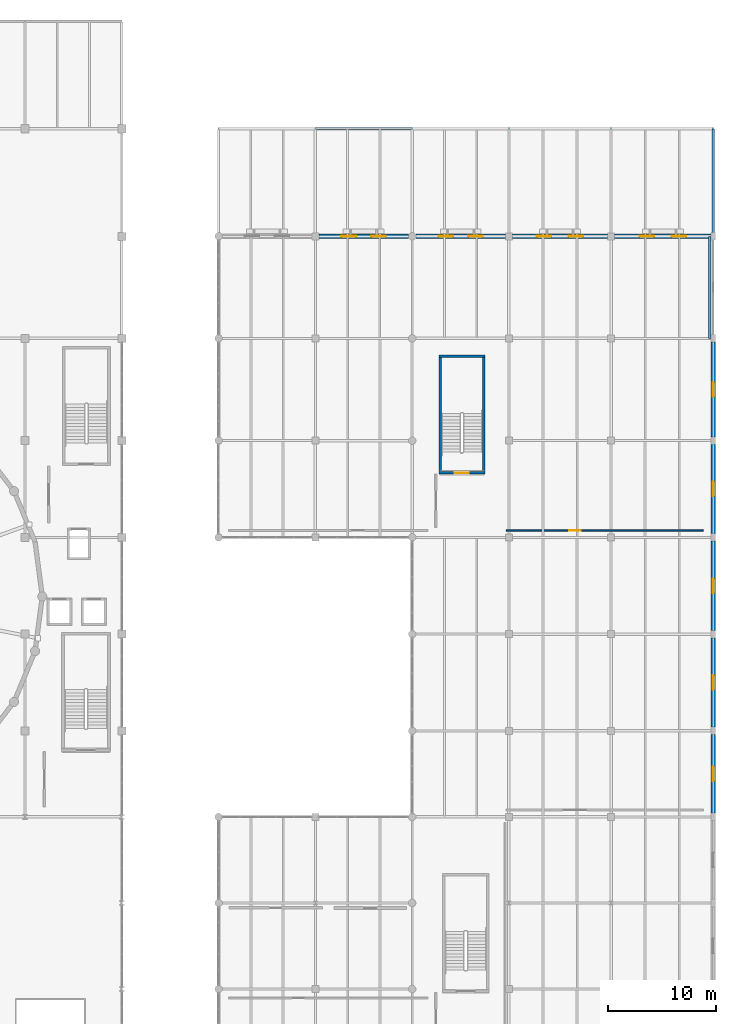
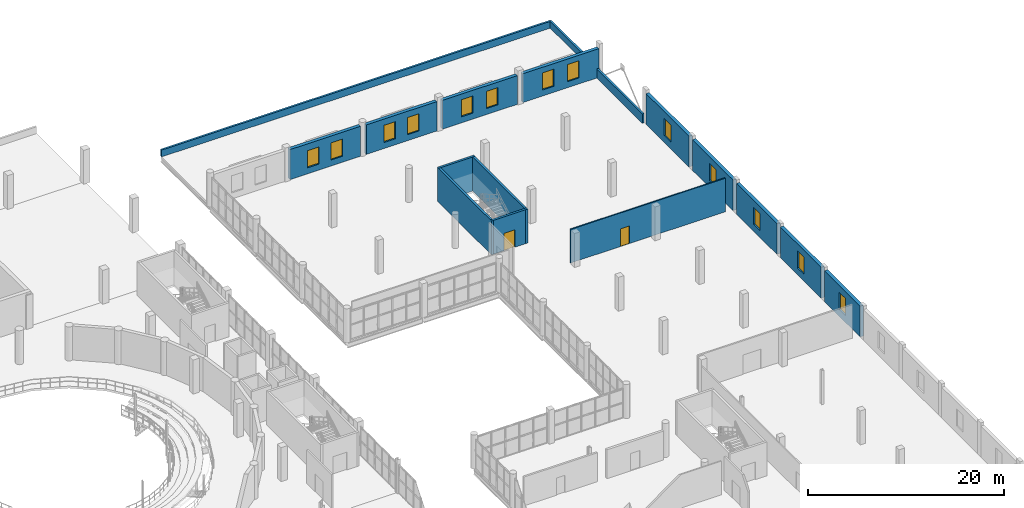
# One storey, part 69 of 85: 17 walls, 13 windows, 2 doors, 15 openings.
"""IFC4 building model written with IfcOpenShell, lengths in metres."""

from ifc_helpers import new_model, si_unit, direction, frame, frame_2d, origin, place, context, subcontext, project, spatial, rectangle, extrude, material, layer, layer_set, type_object, element, fill, save


model = new_model("IFC4")

# Units and contexts
model_context = context("Model", 3, precision=1e-05, world=origin(), true_north=direction((0.0, 1.0)))
body_context = subcontext(model_context, "Body", "Model", "MODEL_VIEW")
ifc_project = project(units=[si_unit("LENGTHUNIT", "METRE"), si_unit("AREAUNIT", "SQUARE_METRE"), si_unit("VOLUMEUNIT", "CUBIC_METRE"), si_unit("PLANEANGLEUNIT", "RADIAN"), si_unit("MASSUNIT", "GRAM", prefix="KILO")], contexts=[model_context])

# Site, building, storey
site_placement = place(None, origin())
site = spatial("IfcSite", under=ifc_project, at=site_placement, CompositionType="ELEMENT")
building_placement = place(site_placement, origin())
building = spatial("IfcBuilding", under=site, at=building_placement, Name="Marnock Terrace Opera House", CompositionType="ELEMENT")
storey_placement = place(building_placement, frame((0.0, 0.0, 10.199951171875)))
storey = spatial("IfcBuildingStorey", under=building, at=storey_placement, Name="L02", CompositionType="ELEMENT", Elevation=10.199951171875)

# Wall, opening, window
ifc_material_1 = material(Name="Basket Range sandstone ashlar masonry", Category="masonry")
ifc_layer_1 = layer(ifc_material_1, 0.389892578125)
ifc_layer_set_1 = layer_set([ifc_layer_1], Name="Basket Range sandstone ashlar masonry")
wall_type_1 = type_object("IfcWallType", Name="EW-ASHLAR-390", PredefinedType="SOLIDWALL", material=ifc_layer_set_1)
wall_1_placement = place(storey_placement, frame((164.0, 40.345947265625, 0.0), z_axis=(0.0, 0.0, 1.0), x_axis=(0.0, 1.0, 0.0)))
wall_1 = element("IfcWall", 1, at=wall_1_placement, inside=storey, type_object=wall_type_1, Name="L02 Volume 5 east sandstone facade 5", PredefinedType="SOLIDWALL", context=body_context, shape_type="SweptSolid", body=[
    extrude(rectangle(XDim=7.30810546875, YDim=0.389892578125, at=frame_2d((3.654052734375, 0.0))), origin(), (0.0, 0.0, 1.0), 3.8515625),
])
opening_1_placement = place(wall_1_placement, frame((2.97900390625, 0.0, 0.85009765625)))
opening_1 = element("IfcOpeningElement", 2, at=opening_1_placement, cuts=wall_1, Name="Opening WT-102", PredefinedType="OPENING", context=body_context, shape_type="SweptSolid", body=[
    extrude(rectangle(XDim=1.35009765625, YDim=2.14990234375, at=frame_2d((0.675048828125, 1.074951171875))), frame((0.0, 0.204833984375, 0.0), z_axis=(0.0, -1.0, 0.0), x_axis=(1.0, 0.0, 0.0)), (0.0, 0.0, 1.0), 0.409912109375),
])
ifc_material_2 = material(Name="Double-glazed acoustic low-E laminated glass", Category="glass")
window_type = type_object("IfcWindowType", Name="WT-SUITE-1350", PartitioningType="SINGLE_PANEL", PredefinedType="WINDOW", material=ifc_material_2)
window_1_placement = place(opening_1_placement, origin())
window_1 = element("IfcWindow", 3, at=window_1_placement, inside=storey, type_object=window_type, Name="L02 facade window EW-V5E-L02-05.1", OverallHeight=2.14990234375, OverallWidth=1.35009765625, PartitioningType="SINGLE_PANEL", PredefinedType="WINDOW", context=body_context, shape_type="SweptSolid", body=[
    extrude(rectangle(XDim=1.35009765625, YDim=2.14990234375, at=frame_2d((0.675048828125, 1.074951171875))), frame((0.0, 0.030029296875, 0.0), z_axis=(0.0, -1.0, 0.0), x_axis=(1.0, 0.0, 0.0)), (0.0, 0.0, 1.0), 0.06005859375),
])
fill(opening_1, window_1)

wall_2_placement = place(storey_placement, frame((164.0, 48.345947265625, 0.0), z_axis=(0.0, 0.0, 1.0), x_axis=(0.0, 1.0, 0.0)))
wall_2 = element("IfcWall", 4, at=wall_2_placement, inside=storey, type_object=wall_type_1, Name="L02 Volume 5 east sandstone facade 6", PredefinedType="SOLIDWALL", context=body_context, shape_type="SweptSolid", body=[
    extrude(rectangle(XDim=8.30810546875, YDim=0.389892578125, at=frame_2d((4.154052734375, 0.0))), origin(), (0.0, 0.0, 1.0), 3.8515625),
])
opening_2_placement = place(wall_2_placement, frame((3.47900390625, 0.0, 0.85009765625)))
opening_2 = element("IfcOpeningElement", 5, at=opening_2_placement, cuts=wall_2, Name="Opening WT-102", PredefinedType="OPENING", context=body_context, shape_type="SweptSolid", body=[
    extrude(rectangle(XDim=1.35009765625, YDim=2.14990234375, at=frame_2d((0.675048828125, 1.074951171875))), frame((0.0, 0.204833984375, 0.0), z_axis=(0.0, -1.0, 0.0), x_axis=(1.0, 0.0, 0.0)), (0.0, 0.0, 1.0), 0.409912109375),
])
window_2_placement = place(opening_2_placement, origin())
window_2 = element("IfcWindow", 6, at=window_2_placement, inside=storey, type_object=window_type, Name="L02 facade window EW-V5E-L02-06.1", OverallHeight=2.14990234375, OverallWidth=1.35009765625, PartitioningType="SINGLE_PANEL", PredefinedType="WINDOW", context=body_context, shape_type="SweptSolid", body=[
    extrude(rectangle(XDim=1.35009765625, YDim=2.14990234375, at=frame_2d((0.675048828125, 1.074951171875))), frame((0.0, 0.030029296875, 0.0), z_axis=(0.0, -1.0, 0.0), x_axis=(1.0, 0.0, 0.0)), (0.0, 0.0, 1.0), 0.06005859375),
])
fill(opening_2, window_2)

wall_3_placement = place(storey_placement, frame((164.0, 57.345947265625, 0.0), z_axis=(0.0, 0.0, 1.0), x_axis=(0.0, 1.0, 0.0)))
wall_3 = element("IfcWall", 7, at=wall_3_placement, inside=storey, type_object=wall_type_1, Name="L02 Volume 5 east sandstone facade 7", PredefinedType="SOLIDWALL", context=body_context, shape_type="SweptSolid", body=[
    extrude(rectangle(XDim=8.30810546875, YDim=0.389892578125, at=frame_2d((4.154052734375, 0.0))), origin(), (0.0, 0.0, 1.0), 3.841552734375),
])
opening_3_placement = place(wall_3_placement, frame((3.47900390625, 0.0, 0.85009765625)))
opening_3 = element("IfcOpeningElement", 8, at=opening_3_placement, cuts=wall_3, Name="Opening WT-102", PredefinedType="OPENING", context=body_context, shape_type="SweptSolid", body=[
    extrude(rectangle(XDim=1.35009765625, YDim=2.14990234375, at=frame_2d((0.675048828125, 1.074951171875))), frame((0.0, 0.204833984375, 0.0), z_axis=(0.0, -1.0, 0.0), x_axis=(1.0, 0.0, 0.0)), (0.0, 0.0, 1.0), 0.409912109375),
])
window_3_placement = place(opening_3_placement, origin())
window_3 = element("IfcWindow", 9, at=window_3_placement, inside=storey, type_object=window_type, Name="L02 facade window EW-V5E-L02-07.1", OverallHeight=2.14990234375, OverallWidth=1.35009765625, PartitioningType="SINGLE_PANEL", PredefinedType="WINDOW", context=body_context, shape_type="SweptSolid", body=[
    extrude(rectangle(XDim=1.35009765625, YDim=2.14990234375, at=frame_2d((0.675048828125, 1.074951171875))), frame((0.0, 0.030029296875, 0.0), z_axis=(0.0, -1.0, 0.0), x_axis=(1.0, 0.0, 0.0)), (0.0, 0.0, 1.0), 0.06005859375),
])
fill(opening_3, window_3)

wall_4_placement = place(storey_placement, frame((164.0, 66.345947265625, 0.0), z_axis=(0.0, 0.0, 1.0), x_axis=(0.0, 1.0, 0.0)))
wall_4 = element("IfcWall", 10, at=wall_4_placement, inside=storey, type_object=wall_type_1, Name="L02 Volume 5 east sandstone facade 8", PredefinedType="SOLIDWALL", context=body_context, shape_type="SweptSolid", body=[
    extrude(rectangle(XDim=8.30810546875, YDim=0.389892578125, at=frame_2d((4.154052734375, 0.0))), origin(), (0.0, 0.0, 1.0), 3.841552734375),
])
opening_4_placement = place(wall_4_placement, frame((3.47900390625, 0.0, 0.85009765625)))
opening_4 = element("IfcOpeningElement", 11, at=opening_4_placement, cuts=wall_4, Name="Opening WT-102", PredefinedType="OPENING", context=body_context, shape_type="SweptSolid", body=[
    extrude(rectangle(XDim=1.35009765625, YDim=2.14990234375, at=frame_2d((0.675048828125, 1.074951171875))), frame((0.0, 0.204833984375, 0.0), z_axis=(0.0, -1.0, 0.0), x_axis=(1.0, 0.0, 0.0)), (0.0, 0.0, 1.0), 0.409912109375),
])
window_4_placement = place(opening_4_placement, origin())
window_4 = element("IfcWindow", 12, at=window_4_placement, inside=storey, type_object=window_type, Name="L02 facade window EW-V5E-L02-08.1", OverallHeight=2.14990234375, OverallWidth=1.35009765625, PartitioningType="SINGLE_PANEL", PredefinedType="WINDOW", context=body_context, shape_type="SweptSolid", body=[
    extrude(rectangle(XDim=1.35009765625, YDim=2.14990234375, at=frame_2d((0.675048828125, 1.074951171875))), frame((0.0, 0.030029296875, 0.0), z_axis=(0.0, -1.0, 0.0), x_axis=(1.0, 0.0, 0.0)), (0.0, 0.0, 1.0), 0.06005859375),
])
fill(opening_4, window_4)

wall_5_placement = place(storey_placement, frame((164.0, 75.345947265625, 0.0), z_axis=(0.0, 0.0, 1.0), x_axis=(0.0, 1.0, 0.0)))
wall_5 = element("IfcWall", 13, at=wall_5_placement, inside=storey, type_object=wall_type_1, Name="L02 Volume 5 east sandstone facade 9", PredefinedType="SOLIDWALL", context=body_context, shape_type="SweptSolid", body=[
    extrude(rectangle(XDim=8.80810546875, YDim=0.389892578125, at=frame_2d((4.404052734375, 0.0))), origin(), (0.0, 0.0, 1.0), 3.841552734375),
])
opening_5_placement = place(wall_5_placement, frame((3.72900390625, 0.0, 0.85009765625)))
opening_5 = element("IfcOpeningElement", 14, at=opening_5_placement, cuts=wall_5, Name="Opening WT-102", PredefinedType="OPENING", context=body_context, shape_type="SweptSolid", body=[
    extrude(rectangle(XDim=1.35009765625, YDim=2.14990234375, at=frame_2d((0.675048828125, 1.074951171875))), frame((0.0, 0.204833984375, 0.0), z_axis=(0.0, -1.0, 0.0), x_axis=(1.0, 0.0, 0.0)), (0.0, 0.0, 1.0), 0.409912109375),
])
window_5_placement = place(opening_5_placement, origin())
window_5 = element("IfcWindow", 15, at=window_5_placement, inside=storey, type_object=window_type, Name="L02 facade window EW-V5E-L02-09.1", OverallHeight=2.14990234375, OverallWidth=1.35009765625, PartitioningType="SINGLE_PANEL", PredefinedType="WINDOW", context=body_context, shape_type="SweptSolid", body=[
    extrude(rectangle(XDim=1.35009765625, YDim=2.14990234375, at=frame_2d((0.675048828125, 1.074951171875))), frame((0.0, 0.030029296875, 0.0), z_axis=(0.0, -1.0, 0.0), x_axis=(1.0, 0.0, 0.0)), (0.0, 0.0, 1.0), 0.06005859375),
])
fill(opening_5, window_5)

# Wall, openings, windows
wall_6_placement = place(storey_placement, frame((127.321044921875, 94.0, 0.0), z_axis=(0.0, 0.0, 1.0), x_axis=(1.0, 0.0, 0.0)))
wall_6 = element("IfcWall", 16, at=wall_6_placement, inside=storey, type_object=wall_type_1, Name="L02 Volume 5 north parklands facade 2", PredefinedType="SOLIDWALL", context=body_context, shape_type="SweptSolid", body=[
    extrude(rectangle(XDim=8.3330078125, YDim=0.389892578125, at=frame_2d((4.16650390625, 0.0))), origin(), (0.0, 0.0, 1.0), 3.749755859375),
])
opening_6_placement = place(wall_6_placement, frame((2.102783203125, 0.0, 0.75)))
opening_6 = element("IfcOpeningElement", 17, at=opening_6_placement, cuts=wall_6, Name="Opening WT-102", PredefinedType="OPENING", context=body_context, shape_type="SweptSolid", body=[
    extrude(rectangle(XDim=1.35009765625, YDim=2.14990234375, at=frame_2d((0.675048828125, 1.074951171875))), frame((0.0, 0.204833984375, 0.0), z_axis=(0.0, -1.0, 0.0), x_axis=(1.0, 0.0, 0.0)), (0.0, 0.0, 1.0), 0.409912109375),
])
opening_7_placement = place(wall_6_placement, frame((4.88037109375, 0.0, 0.75)))
opening_7 = element("IfcOpeningElement", 18, at=opening_7_placement, cuts=wall_6, Name="Opening WT-102", PredefinedType="OPENING", context=body_context, shape_type="SweptSolid", body=[
    extrude(rectangle(XDim=1.35009765625, YDim=2.14990234375, at=frame_2d((0.675048828125, 1.074951171875))), frame((0.0, 0.204833984375, 0.0), z_axis=(0.0, -1.0, 0.0), x_axis=(1.0, 0.0, 0.0)), (0.0, 0.0, 1.0), 0.409912109375),
])
window_6_placement = place(opening_6_placement, origin())
window_6 = element("IfcWindow", 19, at=window_6_placement, inside=storey, type_object=window_type, Name="L02 facade window EW-V5N-L02-2.1", OverallHeight=2.14990234375, OverallWidth=1.35009765625, PartitioningType="SINGLE_PANEL", PredefinedType="WINDOW", context=body_context, shape_type="SweptSolid", body=[
    extrude(rectangle(XDim=1.35009765625, YDim=2.14990234375, at=frame_2d((0.675048828125, 1.074951171875))), frame((0.0, 0.030029296875, 0.0), z_axis=(0.0, -1.0, 0.0), x_axis=(1.0, 0.0, 0.0)), (0.0, 0.0, 1.0), 0.06005859375),
])
fill(opening_6, window_6)
window_7_placement = place(opening_7_placement, origin())
window_7 = element("IfcWindow", 20, at=window_7_placement, inside=storey, type_object=window_type, Name="L02 facade window EW-V5N-L02-2.2", OverallHeight=2.14990234375, OverallWidth=1.35009765625, PartitioningType="SINGLE_PANEL", PredefinedType="WINDOW", context=body_context, shape_type="SweptSolid", body=[
    extrude(rectangle(XDim=1.35009765625, YDim=2.14990234375, at=frame_2d((0.675048828125, 1.074951171875))), frame((0.0, 0.030029296875, 0.0), z_axis=(0.0, -1.0, 0.0), x_axis=(1.0, 0.0, 0.0)), (0.0, 0.0, 1.0), 0.06005859375),
])
fill(opening_7, window_7)

wall_7_placement = place(storey_placement, frame((136.345947265625, 94.0, 0.0), z_axis=(0.0, 0.0, 1.0), x_axis=(1.0, 0.0, 0.0)))
wall_7 = element("IfcWall", 21, at=wall_7_placement, inside=storey, type_object=wall_type_1, Name="L02 Volume 5 north parklands facade 3", PredefinedType="SOLIDWALL", context=body_context, shape_type="SweptSolid", body=[
    extrude(rectangle(XDim=8.3330078125, YDim=0.389892578125, at=frame_2d((4.16650390625, 0.0))), origin(), (0.0, 0.0, 1.0), 3.677001953125),
])
opening_8_placement = place(wall_7_placement, frame((2.102783203125, 0.0, 0.75)))
opening_8 = element("IfcOpeningElement", 22, at=opening_8_placement, cuts=wall_7, Name="Opening WT-102", PredefinedType="OPENING", context=body_context, shape_type="SweptSolid", body=[
    extrude(rectangle(XDim=1.35009765625, YDim=2.14990234375, at=frame_2d((0.675048828125, 1.074951171875))), frame((0.0, 0.204833984375, 0.0), z_axis=(0.0, -1.0, 0.0), x_axis=(1.0, 0.0, 0.0)), (0.0, 0.0, 1.0), 0.409912109375),
])
opening_9_placement = place(wall_7_placement, frame((4.88037109375, 0.0, 0.75)))
opening_9 = element("IfcOpeningElement", 23, at=opening_9_placement, cuts=wall_7, Name="Opening WT-102", PredefinedType="OPENING", context=body_context, shape_type="SweptSolid", body=[
    extrude(rectangle(XDim=1.35009765625, YDim=2.14990234375, at=frame_2d((0.675048828125, 1.074951171875))), frame((0.0, 0.204833984375, 0.0), z_axis=(0.0, -1.0, 0.0), x_axis=(1.0, 0.0, 0.0)), (0.0, 0.0, 1.0), 0.409912109375),
])
window_8_placement = place(opening_8_placement, origin())
window_8 = element("IfcWindow", 24, at=window_8_placement, inside=storey, type_object=window_type, Name="L02 facade window EW-V5N-L02-3.1", OverallHeight=2.14990234375, OverallWidth=1.35009765625, PartitioningType="SINGLE_PANEL", PredefinedType="WINDOW", context=body_context, shape_type="SweptSolid", body=[
    extrude(rectangle(XDim=1.35009765625, YDim=2.14990234375, at=frame_2d((0.675048828125, 1.074951171875))), frame((0.0, 0.030029296875, 0.0), z_axis=(0.0, -1.0, 0.0), x_axis=(1.0, 0.0, 0.0)), (0.0, 0.0, 1.0), 0.06005859375),
])
fill(opening_8, window_8)
window_9_placement = place(opening_9_placement, origin())
window_9 = element("IfcWindow", 25, at=window_9_placement, inside=storey, type_object=window_type, Name="L02 facade window EW-V5N-L02-3.2", OverallHeight=2.14990234375, OverallWidth=1.35009765625, PartitioningType="SINGLE_PANEL", PredefinedType="WINDOW", context=body_context, shape_type="SweptSolid", body=[
    extrude(rectangle(XDim=1.35009765625, YDim=2.14990234375, at=frame_2d((0.675048828125, 1.074951171875))), frame((0.0, 0.030029296875, 0.0), z_axis=(0.0, -1.0, 0.0), x_axis=(1.0, 0.0, 0.0)), (0.0, 0.0, 1.0), 0.06005859375),
])
fill(opening_9, window_9)

wall_8_placement = place(storey_placement, frame((145.321044921875, 94.0, 0.0), z_axis=(0.0, 0.0, 1.0), x_axis=(1.0, 0.0, 0.0)))
wall_8 = element("IfcWall", 26, at=wall_8_placement, inside=storey, type_object=wall_type_1, Name="L02 Volume 5 north parklands facade 4", PredefinedType="SOLIDWALL", context=body_context, shape_type="SweptSolid", body=[
    extrude(rectangle(XDim=8.85791015625, YDim=0.389892578125, at=frame_2d((4.428955078125, 0.0))), origin(), (0.0, 0.0, 1.0), 3.593017578125),
])
opening_10_placement = place(wall_8_placement, frame((2.277587890625, 0.0, 0.75)))
opening_10 = element("IfcOpeningElement", 27, at=opening_10_placement, cuts=wall_8, Name="Opening WT-102", PredefinedType="OPENING", context=body_context, shape_type="SweptSolid", body=[
    extrude(rectangle(XDim=1.35009765625, YDim=2.14990234375, at=frame_2d((0.675048828125, 1.074951171875))), frame((0.0, 0.204833984375, 0.0), z_axis=(0.0, -1.0, 0.0), x_axis=(1.0, 0.0, 0.0)), (0.0, 0.0, 1.0), 0.409912109375),
])
opening_11_placement = place(wall_8_placement, frame((5.230224609375, 0.0, 0.75)))
opening_11 = element("IfcOpeningElement", 28, at=opening_11_placement, cuts=wall_8, Name="Opening WT-102", PredefinedType="OPENING", context=body_context, shape_type="SweptSolid", body=[
    extrude(rectangle(XDim=1.35009765625, YDim=2.14990234375, at=frame_2d((0.675048828125, 1.074951171875))), frame((0.0, 0.204833984375, 0.0), z_axis=(0.0, -1.0, 0.0), x_axis=(1.0, 0.0, 0.0)), (0.0, 0.0, 1.0), 0.409912109375),
])
window_10_placement = place(opening_10_placement, origin())
window_10 = element("IfcWindow", 29, at=window_10_placement, inside=storey, type_object=window_type, Name="L02 facade window EW-V5N-L02-4.1", OverallHeight=2.14990234375, OverallWidth=1.35009765625, PartitioningType="SINGLE_PANEL", PredefinedType="WINDOW", context=body_context, shape_type="SweptSolid", body=[
    extrude(rectangle(XDim=1.35009765625, YDim=2.14990234375, at=frame_2d((0.675048828125, 1.074951171875))), frame((0.0, 0.030029296875, 0.0), z_axis=(0.0, -1.0, 0.0), x_axis=(1.0, 0.0, 0.0)), (0.0, 0.0, 1.0), 0.06005859375),
])
fill(opening_10, window_10)
window_11_placement = place(opening_11_placement, origin())
window_11 = element("IfcWindow", 30, at=window_11_placement, inside=storey, type_object=window_type, Name="L02 facade window EW-V5N-L02-4.2", OverallHeight=2.14990234375, OverallWidth=1.35009765625, PartitioningType="SINGLE_PANEL", PredefinedType="WINDOW", context=body_context, shape_type="SweptSolid", body=[
    extrude(rectangle(XDim=1.35009765625, YDim=2.14990234375, at=frame_2d((0.675048828125, 1.074951171875))), frame((0.0, 0.030029296875, 0.0), z_axis=(0.0, -1.0, 0.0), x_axis=(1.0, 0.0, 0.0)), (0.0, 0.0, 1.0), 0.06005859375),
])
fill(opening_11, window_11)

wall_9_placement = place(storey_placement, frame((154.821044921875, 94.0, 0.0), z_axis=(0.0, 0.0, 1.0), x_axis=(1.0, 0.0, 0.0)))
wall_9 = element("IfcWall", 31, at=wall_9_placement, inside=storey, type_object=wall_type_1, Name="L02 Volume 5 north parklands facade 5", PredefinedType="SOLIDWALL", context=body_context, shape_type="SweptSolid", body=[
    extrude(rectangle(XDim=8.98291015625, YDim=0.389892578125, at=frame_2d((4.491455078125, 0.0))), origin(), (0.0, 0.0, 1.0), 3.58837890625),
])
opening_12_placement = place(wall_9_placement, frame((2.3193359375, 0.0, 0.75)))
opening_12 = element("IfcOpeningElement", 32, at=opening_12_placement, cuts=wall_9, Name="Opening WT-102", PredefinedType="OPENING", context=body_context, shape_type="SweptSolid", body=[
    extrude(rectangle(XDim=1.35009765625, YDim=2.14990234375, at=frame_2d((0.675048828125, 1.074951171875))), frame((0.0, 0.204833984375, 0.0), z_axis=(0.0, -1.0, 0.0), x_axis=(1.0, 0.0, 0.0)), (0.0, 0.0, 1.0), 0.409912109375),
])
opening_13_placement = place(wall_9_placement, frame((5.313720703125, 0.0, 0.75)))
opening_13 = element("IfcOpeningElement", 33, at=opening_13_placement, cuts=wall_9, Name="Opening WT-102", PredefinedType="OPENING", context=body_context, shape_type="SweptSolid", body=[
    extrude(rectangle(XDim=1.35009765625, YDim=2.14990234375, at=frame_2d((0.675048828125, 1.074951171875))), frame((0.0, 0.204833984375, 0.0), z_axis=(0.0, -1.0, 0.0), x_axis=(1.0, 0.0, 0.0)), (0.0, 0.0, 1.0), 0.409912109375),
])
window_12_placement = place(opening_12_placement, origin())
window_12 = element("IfcWindow", 34, at=window_12_placement, inside=storey, type_object=window_type, Name="L02 facade window EW-V5N-L02-5.1", OverallHeight=2.14990234375, OverallWidth=1.35009765625, PartitioningType="SINGLE_PANEL", PredefinedType="WINDOW", context=body_context, shape_type="SweptSolid", body=[
    extrude(rectangle(XDim=1.35009765625, YDim=2.14990234375, at=frame_2d((0.675048828125, 1.074951171875))), frame((0.0, 0.030029296875, 0.0), z_axis=(0.0, -1.0, 0.0), x_axis=(1.0, 0.0, 0.0)), (0.0, 0.0, 1.0), 0.06005859375),
])
fill(opening_12, window_12)
window_13_placement = place(opening_13_placement, origin())
window_13 = element("IfcWindow", 35, at=window_13_placement, inside=storey, type_object=window_type, Name="L02 facade window EW-V5N-L02-5.2", OverallHeight=2.14990234375, OverallWidth=1.35009765625, PartitioningType="SINGLE_PANEL", PredefinedType="WINDOW", context=body_context, shape_type="SweptSolid", body=[
    extrude(rectangle(XDim=1.35009765625, YDim=2.14990234375, at=frame_2d((0.675048828125, 1.074951171875))), frame((0.0, 0.030029296875, 0.0), z_axis=(0.0, -1.0, 0.0), x_axis=(1.0, 0.0, 0.0)), (0.0, 0.0, 1.0), 0.06005859375),
])
fill(opening_13, window_13)

# Walls
ifc_material_3 = material(Name="Pale hydraulic lime architectural render on masonry", Category="masonry")
ifc_layer_2 = layer(ifc_material_3, 0.22998046875)
ifc_layer_set_2 = layer_set([ifc_layer_2], Name="Pale hydraulic lime architectural render on masonry")
wall_type_2 = type_object("IfcWallType", Name="EW-PARA-230", PredefinedType="PARAPET", material=ifc_layer_set_2)
wall_10_placement = place(storey_placement, frame((163.679931640625, 84.5, 0.0), z_axis=(0.0, 0.0, 1.0), x_axis=(0.0, 1.0, 0.0)))
element("IfcWall", 36, at=wall_10_placement, inside=storey, type_object=wall_type_2, Name="L02 braced-bay interior spandrel guard upstand UPST-BRACE-V5E-L02", PredefinedType="PARAPET", context=body_context, shape_type="SweptSolid", body=[
    extrude(rectangle(XDim=9.5, YDim=0.22998046875, at=frame_2d((4.75, 0.0))), origin(), (0.0, 0.0, 1.0), 1.150146484375),
])
wall_11_placement = place(storey_placement, frame((118.0, 104.0, 0.0), z_axis=(0.0, 0.0, 1.0), x_axis=(1.0, 0.0, 0.0)))
element("IfcWall", 37, at=wall_11_placement, inside=storey, type_object=wall_type_2, Name="Stone parapet PARA-V5-L02-N", PredefinedType="PARAPET", context=body_context, shape_type="SweptSolid", body=[
    extrude(rectangle(XDim=46.0, YDim=0.22998046875, at=frame_2d((23.0, 0.0))), origin(), (0.0, 0.0, 1.0), 0.85009765625),
])
wall_12_placement = place(storey_placement, frame((164.0, 94.0, 0.0), z_axis=(0.0, 0.0, 1.0), x_axis=(0.0, 1.0, 0.0)))
element("IfcWall", 38, at=wall_12_placement, inside=storey, type_object=wall_type_2, Name="Stone parapet PARA-V5-L02-E", PredefinedType="PARAPET", context=body_context, shape_type="SweptSolid", body=[
    extrude(rectangle(XDim=10.0, YDim=0.22998046875, at=frame_2d((5.0, 0.0))), origin(), (0.0, 0.0, 1.0), 0.85009765625),
])

# Wall, opening, door
ifc_material_4 = material(Name="Double-stud acoustic plasterboard with mineral-wool infill")
ifc_layer_3 = layer(ifc_material_4, 0.14794921875)
ifc_layer_set_3 = layer_set([ifc_layer_3], Name="Double-stud acoustic plasterboard with mineral-wool infill")
wall_type_3 = type_object("IfcWallType", Name="IW-PART-148", PredefinedType="PARTITIONING", material=ifc_layer_set_3)
wall_13_placement = place(storey_placement, frame((144.75, 66.64990234375, 0.0), z_axis=(0.0, 0.0, 1.0), x_axis=(1.0, 0.0, 0.0)))
wall_13 = element("IfcWall", 39, at=wall_13_placement, inside=storey, type_object=wall_type_3, Name="L02 Physiotherapy and Artist Wellness Suite acoustic partition wall", PredefinedType="PARTITIONING", context=body_context, shape_type="SweptSolid", body=[
    extrude(rectangle(XDim=18.300048828125, YDim=0.14794921875, at=frame_2d((9.14990234375, 0.0))), origin(), (0.0, 0.0, 1.0), 4.18994140625),
])
opening_14_placement = place(wall_13_placement, frame((5.875, 0.0, 0.0)))
opening_14 = element("IfcOpeningElement", 40, at=opening_14_placement, cuts=wall_13, Name="Opening D-L02-21", PredefinedType="OPENING", context=body_context, shape_type="SweptSolid", body=[
    extrude(rectangle(XDim=1.06005859375, YDim=2.199951171875, at=frame_2d((0.530029296875, 1.10009765625))), frame((0.0, 0.083984375, 0.0), z_axis=(0.0, -1.0, 0.0), x_axis=(1.0, 0.0, 0.0)), (0.0, 0.0, 1.0), 0.16796875),
])
ifc_material_5 = material(Name="Solid-core Tasmanian oak acoustic door leaf")
door_type_1 = type_object("IfcDoorType", Name="DT-SUITE-1060", OperationType="NOTDEFINED", PredefinedType="DOOR", material=ifc_material_5)
door_1_placement = place(opening_14_placement, origin())
door_1 = element("IfcDoor", 41, at=door_1_placement, inside=storey, type_object=door_type_1, Name="L02 Physiotherapy and Artist Wellness Suite entrance door", OperationType="SINGLE_SWING_RIGHT", OverallHeight=2.199951171875, OverallWidth=1.06005859375, PredefinedType="DOOR", context=body_context, shape_type="SweptSolid", body=[
    extrude(rectangle(XDim=1.06005859375, YDim=2.199951171875, at=frame_2d((0.530029296875, 1.10009765625))), frame((0.0, 0.02490234375, 0.0), z_axis=(0.0, -1.0, 0.0), x_axis=(1.0, 0.0, 0.0)), (0.0, 0.0, 1.0), 0.050048828125),
])
fill(opening_14, door_1)

ifc_material_6 = material(Name="Concrete N40 (f'c = 40 MPa)", Category="concrete")
ifc_layer_4 = layer(ifc_material_6, 0.25)
ifc_layer_set_4 = layer_set([ifc_layer_4], Name="Concrete N40 (f'c = 40 MPa)")
wall_type_4 = type_object("IfcWallType", Name="SW-CORE-250", PredefinedType="SHEAR", material=ifc_layer_set_4)
wall_14_placement = place(storey_placement, frame((138.47509765625, 72.0, 0.0), z_axis=(0.0, 0.0, 1.0), x_axis=(1.0, 0.0, 0.0)))
wall_14 = element("IfcWall", 42, at=wall_14_placement, inside=storey, type_object=wall_type_4, Name="L02 Core C8 FRL 120/120/120 shear wall S", PredefinedType="SHEAR", context=body_context, shape_type="SweptSolid", body=[
    extrude(rectangle(XDim=4.289794921875, YDim=0.25, at=frame_2d((2.14501953125, 0.0))), origin(), (0.0, 0.0, 1.0), 4.239990234375),
])
opening_15_placement = place(wall_14_placement, frame((1.4951171875, 0.0, 0.0)))
opening_15 = element("IfcOpeningElement", 43, at=opening_15_placement, cuts=wall_14, Name="Opening SD-C8-L02", PredefinedType="OPENING", context=body_context, shape_type="SweptSolid", body=[
    extrude(rectangle(XDim=1.300048828125, YDim=2.179931640625, at=frame_2d((0.64990234375, 1.08984375))), frame((0.0, 0.135009765625, 0.0), z_axis=(0.0, -1.0, 0.0), x_axis=(1.0, 0.0, 0.0)), (0.0, 0.0, 1.0), 0.27001953125),
])
ifc_material_7 = material(Name="Fire-rated acoustic timber-core door assembly", Category="wood")
door_type_2 = type_object("IfcDoorType", Name="DT-STAIR-1300", OperationType="NOTDEFINED", PredefinedType="DOOR", material=ifc_material_7)
door_2_placement = place(opening_15_placement, origin())
door_2 = element("IfcDoor", 44, at=door_2_placement, inside=storey, type_object=door_type_2, Name="L02 Stair ST-08 fire-isolated exit door", OperationType="SINGLE_SWING_LEFT", OverallHeight=2.179931640625, OverallWidth=1.300048828125, PredefinedType="DOOR", context=body_context, shape_type="SweptSolid", body=[
    extrude(rectangle(XDim=1.300048828125, YDim=2.179931640625, at=frame_2d((0.64990234375, 1.08984375))), frame((0.0, 0.02490234375, 0.0), z_axis=(0.0, -1.0, 0.0), x_axis=(1.0, 0.0, 0.0)), (0.0, 0.0, 1.0), 0.050048828125),
])
fill(opening_15, door_2)

# Walls
wall_15_placement = place(storey_placement, frame((138.47509765625, 82.840087890625, 0.0), z_axis=(0.0, 0.0, 1.0), x_axis=(1.0, 0.0, 0.0)))
element("IfcWall", 45, at=wall_15_placement, inside=storey, type_object=wall_type_4, Name="L02 Core C8 FRL 120/120/120 shear wall N", PredefinedType="SHEAR", context=body_context, shape_type="SweptSolid", body=[
    extrude(rectangle(XDim=4.289794921875, YDim=0.25, at=frame_2d((2.14501953125, 0.0))), origin(), (0.0, 0.0, 1.0), 4.239990234375),
])
for number, where, z_axis, x_axis, name in (
    (46, (138.60009765625, 71.875, 0.0), (0.0, 0.0, 1.0), (0.0, 1.0, 0.0), "L02 Core C8 FRL 120/120/120 shear wall W"),
    (47, (142.639892578125, 71.875, 0.0), (0.0, 0.0, 1.0), (0.0, 1.0, 0.0), "L02 Core C8 FRL 120/120/120 shear wall E"),
):
    element("IfcWall", number, at=place(storey_placement, frame(where, z_axis=z_axis, x_axis=x_axis)), inside=storey, type_object=wall_type_4, Name=name, PredefinedType="SHEAR", context=body_context, shape_type="SweptSolid", body=[
        extrude(rectangle(XDim=11.090087890625, YDim=0.25, at=frame_2d((5.544921875, 0.0))), origin(), (0.0, 0.0, 1.0), 4.239990234375),
    ])

save(model, "model.ifc")
